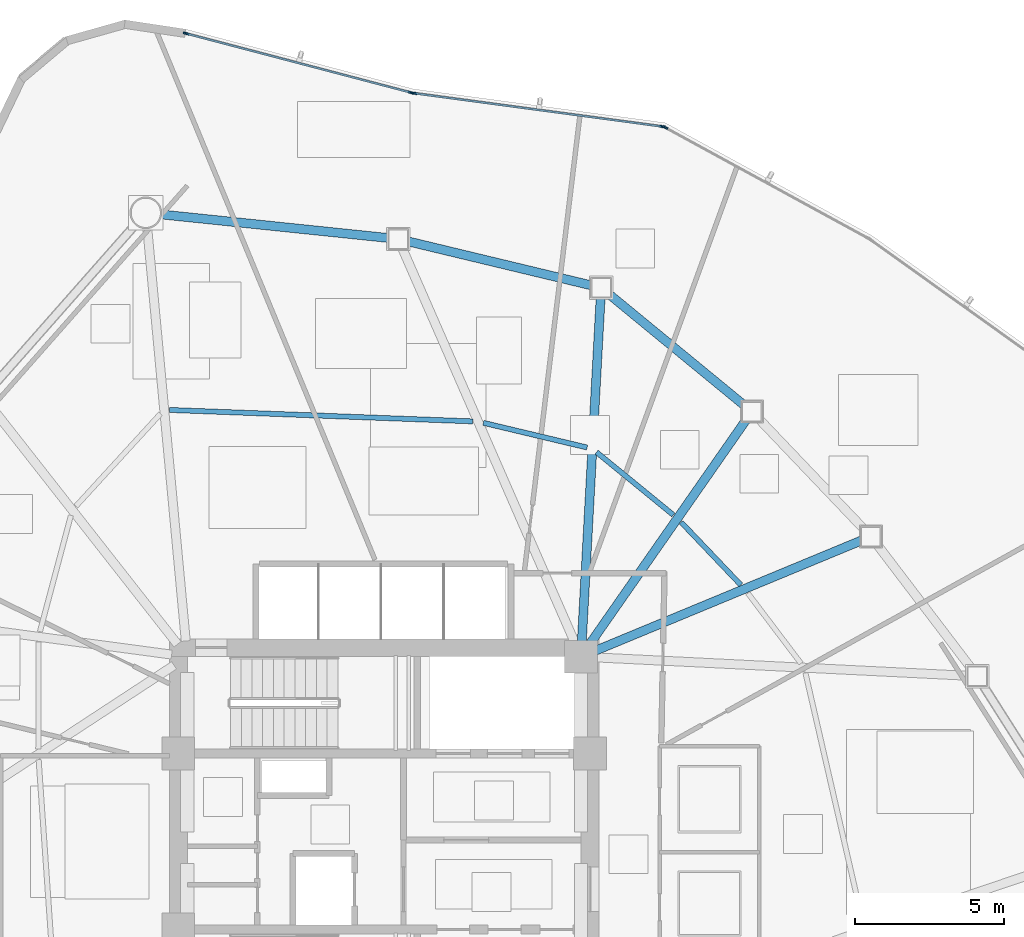
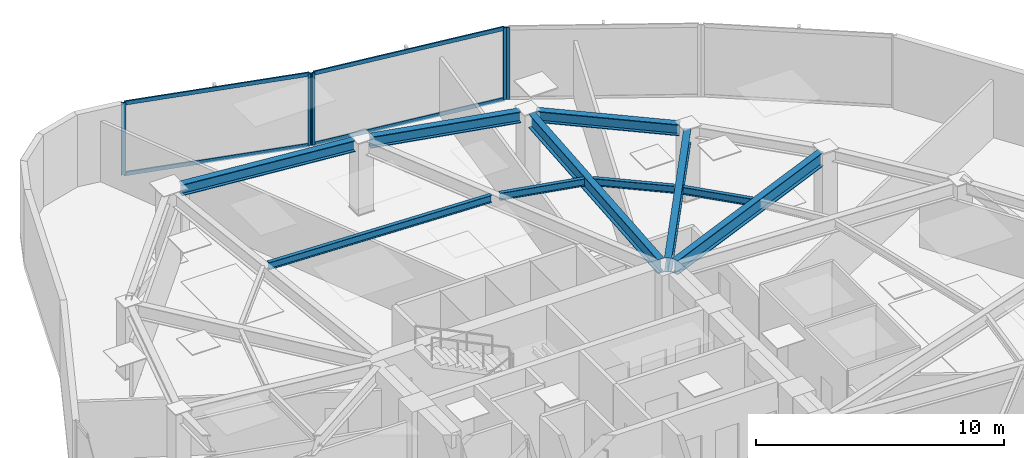
# One storey, part 8 of 17: 10 beams, 9 members, 3 elements without a shape of their own.
"""IFC4 building model written with IfcOpenShell, lengths in metres."""

from ifc_helpers import new_model, si_unit, direction, frame, origin, origin_2d, place, context, subcontext, project, spatial, hollow_rectangle, i_section, extrude, source, transform, mapped, material, layer, layer_set, material_profile, profile_set, type_object, type_shapes, element, aggregate, save


model = new_model("IFC4")

# Units and contexts
model_context = context("Model", 3, precision=1e-05, world=origin(), true_north=direction((0.0, 1.0)))
body_context = subcontext(model_context, "Body", "Model", "MODEL_VIEW")
ifc_project = project(units=[si_unit("LENGTHUNIT", "METRE"), si_unit("AREAUNIT", "SQUARE_METRE"), si_unit("VOLUMEUNIT", "CUBIC_METRE"), si_unit("PLANEANGLEUNIT", "RADIAN"), si_unit("MASSUNIT", "GRAM", prefix="KILO")], contexts=[model_context])

# Site, building, storey
site_placement = place(None, origin())
site = spatial("IfcSite", under=ifc_project, at=site_placement, CompositionType="ELEMENT")
building_placement = place(site_placement, origin())
building = spatial("IfcBuilding", under=site, at=building_placement, Name="Tavelor Broadcast Tower", CompositionType="ELEMENT")
storey_placement = place(building_placement, frame((0.0, 0.0, 150.25)))
storey = spatial("IfcBuildingStorey", under=building, at=storey_placement, Name="L35", CompositionType="ELEMENT", Elevation=150.25)

# Beams
ifc_material_1 = material(Name="Steel S355", Category="steel")
ifc_material_profile_1 = material_profile(ifc_material_1, i_section(OverallWidth=0.169921875, OverallDepth=0.360107421875, WebThickness=0.008056640625, FlangeThickness=0.0126953125, at=origin_2d()), Name="IPE 360")
ifc_profile_set_1 = profile_set([ifc_material_profile_1], Name="Steel S355")
beam_type_1 = type_object("IfcBeamType", Name="Composite Floor Joist T3 IPE 360", PredefinedType="JOIST", material=ifc_profile_set_1)
beam_1_placement = place(storey_placement, frame((61.960205078125, 53.60400390625, 3.3701171875), z_axis=(-0.689436692526, 0.724345944283, 0.0), x_axis=(-0.724345944283, -0.689436692526, 0.0)))
element("IfcBeam", 1, at=beam_1_placement, inside=storey, type_object=beam_type_1, Name="L35 Secondary Composite Floor Joist 15", PredefinedType="JOIST", context=body_context, shape_type="SweptSolid", body=[
    extrude(i_section(OverallWidth=0.169921875, OverallDepth=0.360107421875, WebThickness=0.008056640625, FlangeThickness=0.0126953125, at=origin_2d()), origin(), (0.0, 0.0, 1.0), 2.90234375),
])
beam_2_placement = place(storey_placement, frame((59.6943359375, 55.951904296875, 3.3701171875), z_axis=(-0.774130723206, 0.633025768345, 0.0), x_axis=(-0.633025768345, -0.774130723206, 0.0)))
element("IfcBeam", 2, at=beam_2_placement, inside=storey, type_object=beam_type_1, Name="L35 Secondary Composite Floor Joist 16", PredefinedType="JOIST", context=body_context, shape_type="SweptSolid", body=[
    extrude(i_section(OverallWidth=0.169921875, OverallDepth=0.360107421875, WebThickness=0.008056640625, FlangeThickness=0.0126953125, at=origin_2d()), origin(), (0.0, 0.0, 1.0), 3.32373046875),
])
beam_3_placement = place(storey_placement, frame((56.80517578125, 58.21240234375, 3.3701171875), z_axis=(-0.972854549724, 0.231417426056, 0.0), x_axis=(-0.231417426056, -0.972854549724, 0.0)))
element("IfcBeam", 3, at=beam_3_placement, inside=storey, type_object=beam_type_1, Name="L35 Secondary Composite Floor Joist 17", PredefinedType="JOIST", context=body_context, shape_type="SweptSolid", body=[
    extrude(i_section(OverallWidth=0.169921875, OverallDepth=0.360107421875, WebThickness=0.008056640625, FlangeThickness=0.0126953125, at=origin_2d()), origin(), (0.0, 0.0, 1.0), 3.575439453125),
])
beam_4_placement = place(storey_placement, frame((52.969970703125, 59.08837890625, 3.3701171875), z_axis=(-0.999289376722, 0.037692725691, 0.0), x_axis=(-0.037692725691, -0.999289376722, 0.0)))
element("IfcBeam", 4, at=beam_4_placement, inside=storey, type_object=beam_type_1, Name="L35 Secondary Composite Floor Joist 18", PredefinedType="JOIST", context=body_context, shape_type="SweptSolid", body=[
    extrude(i_section(OverallWidth=0.169921875, OverallDepth=0.360107421875, WebThickness=0.008056640625, FlangeThickness=0.0126953125, at=origin_2d()), origin(), (0.0, 0.0, 1.0), 10.169189453125),
])
ifc_material_profile_2 = material_profile(ifc_material_1, i_section(OverallWidth=0.300048828125, OverallDepth=0.550048828125, WebThickness=0.014892578125, FlangeThickness=0.029052734375, at=origin_2d()), Name="HEB 550")
ifc_profile_set_2 = profile_set([ifc_material_profile_2], Name="Steel S355")
beam_type_2 = type_object("IfcBeamType", Name="Perimeter Spandrel Beam T3 HEB 550", PredefinedType="SPANDREL", material=ifc_profile_set_2)
beam_5_placement = place(storey_placement, frame((62.0712890625, 59.62939453125, 3.27490234375), z_axis=(-0.772702936962, 0.634767808896, 0.0), x_axis=(-0.634767808896, -0.772702936962, 0.0)))
element("IfcBeam", 5, at=beam_5_placement, inside=storey, type_object=beam_type_2, Name="L35 Framed-Tube Ring Spandrel 16", PredefinedType="SPANDREL", context=body_context, shape_type="SweptSolid", body=[
    extrude(i_section(OverallWidth=0.300048828125, OverallDepth=0.550048828125, WebThickness=0.014892578125, FlangeThickness=0.029052734375, at=origin_2d()), origin(), (0.0, 0.0, 1.0), 5.869140625),
])
beam_6_placement = place(storey_placement, frame((56.949951171875, 63.64697265625, 3.27490234375), z_axis=(-0.972363823797, 0.233470756565, 0.0), x_axis=(-0.233470756565, -0.972363823797, 0.0)))
element("IfcBeam", 6, at=beam_6_placement, inside=storey, type_object=beam_type_2, Name="L35 Framed-Tube Ring Spandrel 17", PredefinedType="SPANDREL", context=body_context, shape_type="SweptSolid", body=[
    extrude(i_section(OverallWidth=0.300048828125, OverallDepth=0.550048828125, WebThickness=0.014892578125, FlangeThickness=0.029052734375, at=origin_2d()), origin(), (0.0, 0.0, 1.0), 6.325439453125),
])
beam_7_placement = place(storey_placement, frame((50.13818359375, 65.23681640625, 3.27490234375), z_axis=(-0.994661371522, 0.103192809834, 0.0), x_axis=(-0.103192809834, -0.994661371522, 0.0)))
element("IfcBeam", 7, at=beam_7_placement, inside=storey, type_object=beam_type_2, Name="L35 Framed-Tube Ring Spandrel 18", PredefinedType="SPANDREL", context=body_context, shape_type="SweptSolid", body=[
    extrude(i_section(OverallWidth=0.300048828125, OverallDepth=0.550048828125, WebThickness=0.014892578125, FlangeThickness=0.029052734375, at=origin_2d()), origin(), (0.0, 0.0, 1.0), 7.658203125),
])
ifc_material_profile_3 = material_profile(ifc_material_1, i_section(OverallWidth=0.300048828125, OverallDepth=0.68994140625, WebThickness=0.014404296875, FlangeThickness=0.027099609375, at=origin_2d()), Name="HEA 700")
ifc_profile_set_3 = profile_set([ifc_material_profile_3], Name="Steel S355")
beam_type_3 = type_object("IfcBeamType", Name="Radial Floor Girder T3 HEA 700", PredefinedType="BEAM", material=ifc_profile_set_3)
beam_8_placement = place(storey_placement, frame((57.087890625, 51.402099609375, 3.205078125), z_axis=(0.92381625254, 0.382836168018, 0.0), x_axis=(-0.382836168018, 0.92381625254, 0.0)))
element("IfcBeam", 8, at=beam_8_placement, inside=storey, type_object=beam_type_3, Name="L35 Radial Primary Floor Girder 15", PredefinedType="BEAM", context=body_context, shape_type="SweptSolid", body=[
    extrude(i_section(OverallWidth=0.300048828125, OverallDepth=0.68994140625, WebThickness=0.014404296875, FlangeThickness=0.027099609375, at=origin_2d()), origin(), (0.0, 0.0, 1.0), 9.659423828125),
])
beam_9_placement = place(storey_placement, frame((56.902099609375, 51.633056640625, 3.205078125), z_axis=(0.572088555537, 0.820191858423, 0.0), x_axis=(-0.820191858423, 0.572088555537, 0.0)))
element("IfcBeam", 9, at=beam_9_placement, inside=storey, type_object=beam_type_3, Name="L35 Radial Primary Floor Girder 16", PredefinedType="BEAM", context=body_context, shape_type="SweptSolid", body=[
    extrude(i_section(OverallWidth=0.300048828125, OverallDepth=0.68994140625, WebThickness=0.014404296875, FlangeThickness=0.027099609375, at=origin_2d()), origin(), (0.0, 0.0, 1.0), 9.1533203125),
])
beam_10_placement = place(storey_placement, frame((56.62890625, 51.727294921875, 3.205078125), z_axis=(0.054621583664, 0.998507126964, 0.0), x_axis=(-0.998507126964, 0.054621583664, 0.0)))
element("IfcBeam", 10, at=beam_10_placement, inside=storey, type_object=beam_type_3, Name="L35 Radial Primary Floor Girder 17", PredefinedType="BEAM", context=body_context, shape_type="SweptSolid", body=[
    extrude(i_section(OverallWidth=0.300048828125, OverallDepth=0.68994140625, WebThickness=0.014404296875, FlangeThickness=0.027099609375, at=origin_2d()), origin(), (0.0, 0.0, 1.0), 11.522705078125),
])

# Curtain wall, member
ifc_material_2 = material(Name="Architectural Anodized Aluminium", Category="aluminium")
ifc_layer = layer(ifc_material_2, 0.18994140625)
ifc_layer_set = layer_set([ifc_layer], Name="Architectural Anodized Aluminium")
curtain_wall_type = type_object("IfcCurtainWallType", Name="Tower Mid-Zone Acoustic Curtain Wall CW03", PredefinedType="NOTDEFINED", material=ifc_layer_set)
curtain_wall_1_placement = place(storey_placement, origin())
curtain_wall_1 = element("IfcCurtainWall", 11, at=curtain_wall_1_placement, inside=storey, type_object=curtain_wall_type, Name="L35 Curtain Wall CW03 Run 370", PredefinedType="NOTDEFINED")
ifc_material_profile_4 = material_profile(ifc_material_2, hollow_rectangle(XDim=0.068115234375, YDim=0.18994140625, WallThickness=0.02197265625, at=origin_2d()), Name="RHS 68x190x22")
ifc_profile_set_4 = profile_set([ifc_material_profile_4], Name="Architectural Anodized Aluminium")
member_type_1 = type_object("IfcMemberType", Name="CW03 Extruded Aluminium Mullion 68x190", PredefinedType="MULLION", material=ifc_profile_set_4)
shared_shape_1 = source(origin(), body_context, "Body", "SweptSolid", [
    extrude(hollow_rectangle(XDim=0.068115234375, YDim=0.18994140625, WallThickness=0.02197265625, at=origin_2d()), origin(), (0.0, 0.0, 1.0), 3.550048828125),
])
type_shapes(member_type_1, [shared_shape_1])
member_1_placement = place(storey_placement, frame((59.425048828125, 68.940673828125, 0.0), z_axis=(0.0, 0.0, 1.0), x_axis=(-0.479074286186, -0.877774360707, 0.0)))
member_1 = element("IfcMember", 12, at=member_1_placement, type_object=member_type_1, Name="CW03 mullion 2", PredefinedType="MULLION", context=body_context, shape_type="MappedRepresentation", body=[
    mapped(shared_shape_1, transform((0.0, 0.0, 0.0), scale=1.0)),
])
aggregate(curtain_wall_1, [member_1])

# Curtain wall, members
curtain_wall_2_placement = place(storey_placement, origin())
curtain_wall_2 = element("IfcCurtainWall", 13, at=curtain_wall_2_placement, inside=storey, type_object=curtain_wall_type, Name="L35 Curtain Wall CW03 Run 371", PredefinedType="NOTDEFINED")
member_2_placement = place(storey_placement, frame((59.33349609375, 68.970703125, 0.0), z_axis=(0.0, 0.0, 1.0), x_axis=(-0.133021849436, -0.991113105338, 0.0)))
member_2 = element("IfcMember", 14, at=member_2_placement, type_object=member_type_1, Name="CW03 mullion 1", PredefinedType="MULLION", context=body_context, shape_type="MappedRepresentation", body=[
    mapped(shared_shape_1, transform((0.0, 0.0, 0.0), scale=1.0)),
])
member_3_placement = place(storey_placement, frame((51.00390625, 70.088623046875, 0.0), z_axis=(0.0, 0.0, 1.0), x_axis=(-0.133021849436, -0.991113105338, 0.0)))
member_3 = element("IfcMember", 15, at=member_3_placement, type_object=member_type_1, Name="CW03 mullion 2", PredefinedType="MULLION", context=body_context, shape_type="MappedRepresentation", body=[
    mapped(shared_shape_1, transform((0.0, 0.0, 0.0), scale=1.0)),
])

curtain_wall_3_placement = place(storey_placement, origin())
curtain_wall_3 = element("IfcCurtainWall", 16, at=curtain_wall_3_placement, inside=storey, type_object=curtain_wall_type, Name="L35 Curtain Wall CW03 Run 372", PredefinedType="NOTDEFINED")
member_4_placement = place(storey_placement, frame((50.90771484375, 70.107666015625, 0.0), z_axis=(0.0, 0.0, 1.0), x_axis=(-0.254158106544, -0.96716268377, 0.0)))
member_4 = element("IfcMember", 17, at=member_4_placement, type_object=member_type_1, Name="CW03 mullion 1", PredefinedType="MULLION", context=body_context, shape_type="MappedRepresentation", body=[
    mapped(shared_shape_1, transform((0.0, 0.0, 0.0), scale=1.0)),
])
member_5_placement = place(storey_placement, frame((43.360595703125, 72.091064453125, 0.0), z_axis=(0.0, 0.0, 1.0), x_axis=(-0.254158106544, -0.96716268377, 0.0)))
member_5 = element("IfcMember", 18, at=member_5_placement, type_object=member_type_1, Name="CW03 mullion 2", PredefinedType="MULLION", context=body_context, shape_type="MappedRepresentation", body=[
    mapped(shared_shape_1, transform((0.0, 0.0, 0.0), scale=1.0)),
])
ifc_material_profile_5 = material_profile(ifc_material_2, hollow_rectangle(XDim=0.068115234375, YDim=0.18994140625, WallThickness=0.02197265625, at=origin_2d()), Name="RHS 68x190x22")
ifc_profile_set_5 = profile_set([ifc_material_profile_5], Name="Architectural Anodized Aluminium")
member_type_2 = type_object("IfcMemberType", Name="CW03 Extruded Aluminium Transom 68x190", PredefinedType="USERDEFINED", material=ifc_profile_set_5)
shared_shape_2 = source(origin(), body_context, "Body", "SweptSolid", [
    extrude(hollow_rectangle(XDim=0.068115234375, YDim=0.18994140625, WallThickness=0.02197265625, at=origin_2d()), origin(), (0.0, 0.0, 1.0), 7.7353515625),
])
member_6_placement = place(storey_placement, frame((50.875, 70.1162109375, 0.033935546875), z_axis=(-0.967161560141, 0.25416238232, 0.0), x_axis=(-0.25416238232, -0.967161560141, 0.0)))
member_6 = element("IfcMember", 19, at=member_6_placement, type_object=member_type_2, Name="CW03 transom 1.1", ObjectType="TRANSOM", PredefinedType="USERDEFINED", context=body_context, shape_type="MappedRepresentation", body=[
    mapped(shared_shape_2, transform((0.0, 0.0, 0.0), scale=1.0)),
])
member_7_placement = place(storey_placement, frame((50.875, 70.1162109375, 3.51611328125), z_axis=(-0.967161560141, 0.25416238232, 0.0), x_axis=(-0.25416238232, -0.967161560141, 0.0)))
member_7 = element("IfcMember", 20, at=member_7_placement, type_object=member_type_2, Name="CW03 transom 1.2", ObjectType="TRANSOM", PredefinedType="USERDEFINED", context=body_context, shape_type="MappedRepresentation", body=[
    mapped(shared_shape_2, transform((0.0, 0.0, 0.0), scale=1.0)),
])
aggregate(curtain_wall_3, [member_4, member_5, member_6, member_7])

# Member
shared_shape_3 = source(origin(), body_context, "Body", "SweptSolid", [
    extrude(hollow_rectangle(XDim=0.068115234375, YDim=0.18994140625, WallThickness=0.02197265625, at=origin_2d()), origin(), (0.0, 0.0, 1.0), 8.336181640625),
])
type_shapes(member_type_2, [shared_shape_2, shared_shape_3])
member_8_placement = place(storey_placement, frame((59.2998046875, 68.975341796875, 0.033935546875), z_axis=(-0.991113454799, 0.133019245662, 0.0), x_axis=(-0.133019245662, -0.991113454799, 0.0)))
member_8 = element("IfcMember", 21, at=member_8_placement, type_object=member_type_2, Name="CW03 transom 1.1", ObjectType="TRANSOM", PredefinedType="USERDEFINED", context=body_context, shape_type="MappedRepresentation", body=[
    mapped(shared_shape_3, transform((0.0, 0.0, 0.0), scale=1.0)),
])

member_9_placement = place(storey_placement, frame((59.2998046875, 68.975341796875, 3.51611328125), z_axis=(-0.991113454799, 0.133019245662, 0.0), x_axis=(-0.133019245662, -0.991113454799, 0.0)))
member_9 = element("IfcMember", 22, at=member_9_placement, type_object=member_type_2, Name="CW03 transom 1.2", ObjectType="TRANSOM", PredefinedType="USERDEFINED", context=body_context, shape_type="MappedRepresentation", body=[
    mapped(shared_shape_3, transform((0.0, 0.0, 0.0), scale=1.0)),
])

aggregate(curtain_wall_2, [member_2, member_3, member_8, member_9])

save(model, "model.ifc")
